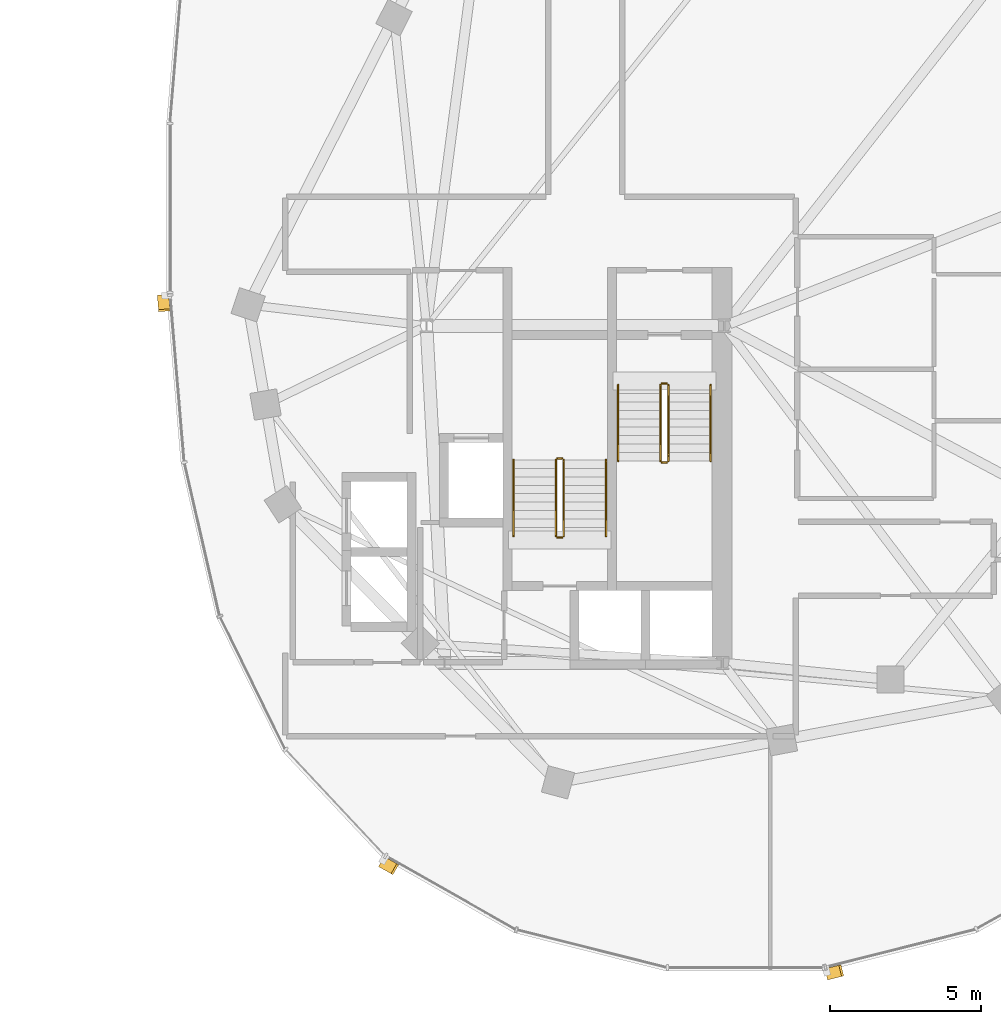
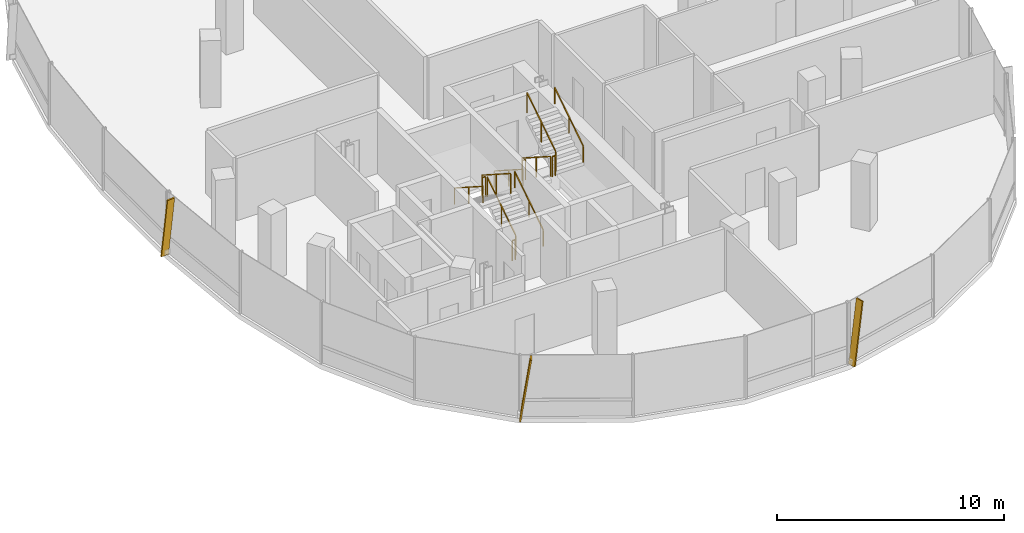
# One storey, part 24 of 25: 12 railings, 3 shading devices.
"""IFC4 building model written with IfcOpenShell, lengths in metres."""

from ifc_helpers import new_model, si_unit, direction, frame, origin, origin_2d, place, context, subcontext, project, spatial, rectangle, extrude, material, material_profile, profile_set, type_object, element, save


model = new_model("IFC4")

# Units and contexts
model_context = context("Model", 3, precision=1e-05, world=origin(), true_north=direction((0.0, 1.0)))
body_context = subcontext(model_context, "Body", "Model", "MODEL_VIEW")
ifc_project = project(units=[si_unit("LENGTHUNIT", "METRE"), si_unit("AREAUNIT", "SQUARE_METRE"), si_unit("VOLUMEUNIT", "CUBIC_METRE"), si_unit("PLANEANGLEUNIT", "RADIAN"), si_unit("MASSUNIT", "GRAM", prefix="KILO"), si_unit("THERMODYNAMICTEMPERATUREUNIT", "KELVIN"), si_unit("POWERUNIT", "WATT")], contexts=[model_context])

# Site, building, storey
site_placement = place(None, origin())
site = spatial("IfcSite", under=ifc_project, at=site_placement, CompositionType="ELEMENT")
building_placement = place(site_placement, origin())
building = spatial("IfcBuilding", under=site, at=building_placement, Name="Cundina Bronze Exchange", CompositionType="ELEMENT")
storey_placement = place(building_placement, frame((0.0, 0.0, 195.39990234375)))
storey = spatial("IfcBuildingStorey", under=building, at=storey_placement, Name="L51", CompositionType="ELEMENT", Elevation=195.39990234375)

# Railings
ifc_material_1 = material(Name="Steel ASTM A36 Painted", Category="steel")
railing_type_1 = type_object("IfcRailingType", Name="RLG-HND-900", PredefinedType="HANDRAIL", material=ifc_material_1)
railing_1_placement = place(storey_placement, frame((27.7900390625, -5.85009765625, 0.18017578125)))
element("IfcRailing", 1, at=railing_1_placement, inside=storey, type_object=railing_type_1, Name="L51 ST-E1 stair handrail 1", PredefinedType="HANDRAIL", context=body_context, shape_type="SweptSolid", body=[
    extrude(rectangle(XDim=0.048095703125, YDim=0.048095703125, at=origin_2d()), frame((0.0, 0.0, 0.8759765625), z_axis=(0.0, -0.841199657755, 0.540724639528), x_axis=(1.0, 0.0, 0.0)), (0.0, 0.0, 1.0), 2.995849609375),
    extrude(rectangle(XDim=0.0419921875, YDim=0.0419921875, at=origin_2d()), origin(), (0.0, 0.0, 1.0), 0.851806640625),
    extrude(rectangle(XDim=0.0419921875, YDim=0.0419921875, at=origin_2d()), frame((0.0, -1.260009765625, 0.81005859375)), (0.0, 0.0, 1.0), 0.851806640625),
    extrude(rectangle(XDim=0.0419921875, YDim=0.0419921875, at=origin_2d()), frame((0.0, -2.52001953125, 1.619873046875)), (0.0, 0.0, 1.0), 0.851806640625),
])
railing_2_placement = place(storey_placement, frame((30.85009765625, -8.3701171875, 1.97998046875)))
element("IfcRailing", 2, at=railing_2_placement, inside=storey, type_object=railing_type_1, Name="L51 ST-E1 stair handrail 2", PredefinedType="HANDRAIL", context=body_context, shape_type="SweptSolid", body=[
    extrude(rectangle(XDim=0.048095703125, YDim=0.048095703125, at=origin_2d()), frame((0.0, 0.0, 0.8759765625), z_axis=(0.0, 0.841162588446, 0.540782303519), x_axis=(-1.0, 0.0, 0.0)), (0.0, 0.0, 1.0), 2.995849609375),
    extrude(rectangle(XDim=0.0419921875, YDim=0.0419921875, at=origin_2d()), origin(), (0.0, 0.0, 1.0), 0.851806640625),
    extrude(rectangle(XDim=0.0419921875, YDim=0.0419921875, at=origin_2d()), frame((0.0, 1.260009765625, 0.81005859375)), (0.0, 0.0, 1.0), 0.851806640625),
    extrude(rectangle(XDim=0.0419921875, YDim=0.0419921875, at=origin_2d()), frame((0.0, 2.52001953125, 1.6201171875)), (0.0, 0.0, 1.0), 0.851806640625),
])
railing_3_placement = place(storey_placement, frame((27.389892578125, -10.85009765625, 0.18017578125)))
element("IfcRailing", 3, at=railing_3_placement, inside=storey, type_object=railing_type_1, Name="L51 ST-E2 stair handrail 1", PredefinedType="HANDRAIL", context=body_context, shape_type="SweptSolid", body=[
    extrude(rectangle(XDim=0.048095703125, YDim=0.048095703125, at=origin_2d()), frame((0.0, 0.0, 0.8759765625), z_axis=(0.0, 0.841199657755, 0.540724639528), x_axis=(-1.0, 0.0, 0.0)), (0.0, 0.0, 1.0), 2.995849609375),
    extrude(rectangle(XDim=0.0419921875, YDim=0.0419921875, at=origin_2d()), origin(), (0.0, 0.0, 1.0), 0.851806640625),
    extrude(rectangle(XDim=0.0419921875, YDim=0.0419921875, at=origin_2d()), frame((0.0, 1.260009765625, 0.81005859375)), (0.0, 0.0, 1.0), 0.851806640625),
    extrude(rectangle(XDim=0.0419921875, YDim=0.0419921875, at=origin_2d()), frame((0.0, 2.52001953125, 1.619873046875)), (0.0, 0.0, 1.0), 0.851806640625),
])
railing_4_placement = place(storey_placement, frame((24.330078125, -8.330078125, 1.97998046875)))
element("IfcRailing", 4, at=railing_4_placement, inside=storey, type_object=railing_type_1, Name="L51 ST-E2 stair handrail 2", PredefinedType="HANDRAIL", context=body_context, shape_type="SweptSolid", body=[
    extrude(rectangle(XDim=0.048095703125, YDim=0.048095703125, at=origin_2d()), frame((0.0, 0.0, 0.8759765625), z_axis=(0.0, -0.841162588446, 0.540782303519), x_axis=(1.0, 0.0, 0.0)), (0.0, 0.0, 1.0), 2.995849609375),
    extrude(rectangle(XDim=0.0419921875, YDim=0.0419921875, at=origin_2d()), origin(), (0.0, 0.0, 1.0), 0.851806640625),
    extrude(rectangle(XDim=0.0419921875, YDim=0.0419921875, at=origin_2d()), frame((0.0, -1.260009765625, 0.81005859375)), (0.0, 0.0, 1.0), 0.851806640625),
    extrude(rectangle(XDim=0.0419921875, YDim=0.0419921875, at=origin_2d()), frame((0.0, -2.52001953125, 1.6201171875)), (0.0, 0.0, 1.0), 0.851806640625),
])
railing_type_2 = type_object("IfcRailingType", Name="RLG-STG-1100", PredefinedType="GUARDRAIL", material=ifc_material_1)
railing_5_placement = place(storey_placement, frame((29.18994140625, -5.85009765625, 0.18017578125)))
element("IfcRailing", 5, at=railing_5_placement, inside=storey, type_object=railing_type_2, Name="L51 ST-E1 stair guard 1", PredefinedType="GUARDRAIL", context=body_context, shape_type="SweptSolid", body=[
    extrude(rectangle(XDim=0.048095703125, YDim=0.048095703125, at=origin_2d()), frame((0.0, 0.0, 1.076171875), z_axis=(0.0, -0.841199657755, 0.540724639528), x_axis=(1.0, 0.0, 0.0)), (0.0, 0.0, 1.0), 2.995849609375),
    extrude(rectangle(XDim=0.0419921875, YDim=0.0419921875, at=origin_2d()), origin(), (0.0, 0.0, 1.0), 1.052001953125),
    extrude(rectangle(XDim=0.0419921875, YDim=0.0419921875, at=origin_2d()), frame((0.0, -1.260009765625, 0.81005859375)), (0.0, 0.0, 1.0), 1.052001953125),
    extrude(rectangle(XDim=0.0419921875, YDim=0.0419921875, at=origin_2d()), frame((0.0, -2.52001953125, 1.619873046875)), (0.0, 0.0, 1.0), 1.052001953125),
])
railing_6_placement = place(storey_placement, frame((29.239990234375, -8.419921875, 1.800048828125)))
element("IfcRailing", 6, at=railing_6_placement, inside=storey, type_object=railing_type_2, Name="L51 ST-E1 stair guard 2", PredefinedType="GUARDRAIL", context=body_context, shape_type="SweptSolid", body=[
    extrude(rectangle(XDim=0.048095703125, YDim=0.048095703125, at=origin_2d()), frame((0.0, 0.0, 1.076171875), z_axis=(1.0, 0.0, 0.0), x_axis=(0.0, 1.0, 0.0)), (0.0, 0.0, 1.0), 0.159912109375),
    extrude(rectangle(XDim=0.0419921875, YDim=0.0419921875, at=origin_2d()), origin(), (0.0, 0.0, 1.0), 1.052001953125),
    extrude(rectangle(XDim=0.0419921875, YDim=0.0419921875, at=origin_2d()), frame((0.159912109375, 0.0, 0.0)), (0.0, 0.0, 1.0), 1.052001953125),
])
railing_7_placement = place(storey_placement, frame((29.449951171875, -8.3701171875, 1.97998046875)))
element("IfcRailing", 7, at=railing_7_placement, inside=storey, type_object=railing_type_2, Name="L51 ST-E1 stair guard 3", PredefinedType="GUARDRAIL", context=body_context, shape_type="SweptSolid", body=[
    extrude(rectangle(XDim=0.048095703125, YDim=0.048095703125, at=origin_2d()), frame((0.0, 0.0, 1.076171875), z_axis=(0.0, 0.841162588446, 0.540782303519), x_axis=(-1.0, 0.0, 0.0)), (0.0, 0.0, 1.0), 2.995849609375),
    extrude(rectangle(XDim=0.0419921875, YDim=0.0419921875, at=origin_2d()), origin(), (0.0, 0.0, 1.0), 1.052001953125),
    extrude(rectangle(XDim=0.0419921875, YDim=0.0419921875, at=origin_2d()), frame((0.0, 1.260009765625, 0.81005859375)), (0.0, 0.0, 1.0), 1.052001953125),
    extrude(rectangle(XDim=0.0419921875, YDim=0.0419921875, at=origin_2d()), frame((0.0, 2.52001953125, 1.6201171875)), (0.0, 0.0, 1.0), 1.052001953125),
])
railing_8_placement = place(storey_placement, frame((29.239990234375, -5.800048828125, 0.0)))
element("IfcRailing", 8, at=railing_8_placement, inside=storey, type_object=railing_type_2, Name="L51 ST-E1 stair guard 4", PredefinedType="GUARDRAIL", context=body_context, shape_type="SweptSolid", body=[
    extrude(rectangle(XDim=0.048095703125, YDim=0.048095703125, at=origin_2d()), frame((0.0, 0.0, 1.076171875), z_axis=(1.0, 0.0, 0.0), x_axis=(0.0, 1.0, 0.0)), (0.0, 0.0, 1.0), 0.159912109375),
    extrude(rectangle(XDim=0.0419921875, YDim=0.0419921875, at=origin_2d()), origin(), (0.0, 0.0, 1.0), 1.052001953125),
    extrude(rectangle(XDim=0.0419921875, YDim=0.0419921875, at=origin_2d()), frame((0.159912109375, 0.0, 0.0)), (0.0, 0.0, 1.0), 1.052001953125),
])
railing_9_placement = place(storey_placement, frame((25.989990234375, -10.85009765625, 0.18017578125)))
element("IfcRailing", 9, at=railing_9_placement, inside=storey, type_object=railing_type_2, Name="L51 ST-E2 stair guard 1", PredefinedType="GUARDRAIL", context=body_context, shape_type="SweptSolid", body=[
    extrude(rectangle(XDim=0.048095703125, YDim=0.048095703125, at=origin_2d()), frame((0.0, 0.0, 1.076171875), z_axis=(0.0, 0.841199657755, 0.540724639528), x_axis=(-1.0, 0.0, 0.0)), (0.0, 0.0, 1.0), 2.995849609375),
    extrude(rectangle(XDim=0.0419921875, YDim=0.0419921875, at=origin_2d()), origin(), (0.0, 0.0, 1.0), 1.052001953125),
    extrude(rectangle(XDim=0.0419921875, YDim=0.0419921875, at=origin_2d()), frame((0.0, 1.260009765625, 0.81005859375)), (0.0, 0.0, 1.0), 1.052001953125),
    extrude(rectangle(XDim=0.0419921875, YDim=0.0419921875, at=origin_2d()), frame((0.0, 2.52001953125, 1.619873046875)), (0.0, 0.0, 1.0), 1.052001953125),
])
railing_10_placement = place(storey_placement, frame((25.93994140625, -8.280029296875, 1.800048828125)))
element("IfcRailing", 10, at=railing_10_placement, inside=storey, type_object=railing_type_2, Name="L51 ST-E2 stair guard 2", PredefinedType="GUARDRAIL", context=body_context, shape_type="SweptSolid", body=[
    extrude(rectangle(XDim=0.048095703125, YDim=0.048095703125, at=origin_2d()), frame((0.0, 0.0, 1.076171875), z_axis=(-1.0, 0.0, 0.0), x_axis=(0.0, -1.0, 0.0)), (0.0, 0.0, 1.0), 0.159912109375),
    extrude(rectangle(XDim=0.0419921875, YDim=0.0419921875, at=origin_2d()), origin(), (0.0, 0.0, 1.0), 1.052001953125),
    extrude(rectangle(XDim=0.0419921875, YDim=0.0419921875, at=origin_2d()), frame((-0.159912109375, 0.0, 0.0)), (0.0, 0.0, 1.0), 1.052001953125),
])
railing_11_placement = place(storey_placement, frame((25.72998046875, -8.330078125, 1.97998046875)))
element("IfcRailing", 11, at=railing_11_placement, inside=storey, type_object=railing_type_2, Name="L51 ST-E2 stair guard 3", PredefinedType="GUARDRAIL", context=body_context, shape_type="SweptSolid", body=[
    extrude(rectangle(XDim=0.048095703125, YDim=0.048095703125, at=origin_2d()), frame((0.0, 0.0, 1.076171875), z_axis=(0.0, -0.841162588446, 0.540782303519), x_axis=(1.0, 0.0, 0.0)), (0.0, 0.0, 1.0), 2.995849609375),
    extrude(rectangle(XDim=0.0419921875, YDim=0.0419921875, at=origin_2d()), origin(), (0.0, 0.0, 1.0), 1.052001953125),
    extrude(rectangle(XDim=0.0419921875, YDim=0.0419921875, at=origin_2d()), frame((0.0, -1.260009765625, 0.81005859375)), (0.0, 0.0, 1.0), 1.052001953125),
    extrude(rectangle(XDim=0.0419921875, YDim=0.0419921875, at=origin_2d()), frame((0.0, -2.52001953125, 1.6201171875)), (0.0, 0.0, 1.0), 1.052001953125),
])
railing_12_placement = place(storey_placement, frame((25.93994140625, -10.89990234375, 0.0)))
element("IfcRailing", 12, at=railing_12_placement, inside=storey, type_object=railing_type_2, Name="L51 ST-E2 stair guard 4", PredefinedType="GUARDRAIL", context=body_context, shape_type="SweptSolid", body=[
    extrude(rectangle(XDim=0.048095703125, YDim=0.048095703125, at=origin_2d()), frame((0.0, 0.0, 1.076171875), z_axis=(-1.0, 0.0, 0.0), x_axis=(0.0, -1.0, 0.0)), (0.0, 0.0, 1.0), 0.159912109375),
    extrude(rectangle(XDim=0.0419921875, YDim=0.0419921875, at=origin_2d()), origin(), (0.0, 0.0, 1.0), 1.052001953125),
    extrude(rectangle(XDim=0.0419921875, YDim=0.0419921875, at=origin_2d()), frame((-0.159912109375, 0.0, 0.0)), (0.0, 0.0, 1.0), 1.052001953125),
])

# Shading devices
ifc_material_2 = material(Name="Anodised Bronze Aluminium 6063-T6", Category="aluminium")
ifc_material_profile = material_profile(ifc_material_2, rectangle(XDim=0.070068359375, YDim=0.3798828125, at=origin_2d()), Name="FIN70X380", Category="aluminium")
ifc_profile_set = profile_set([ifc_material_profile], Name="Anodised Bronze Aluminium 6063-T6")
shading_device_type = type_object("IfcShadingDeviceType", Name="SHD-FIN-BRZ380", PredefinedType="USERDEFINED", material=ifc_profile_set)
for number, where, z_axis, x_axis, name in (
    (13, (12.735595703125, -2.90283203125, 0.02001953125), (0.012006555776, -0.143419772964, 0.98958911238), (-0.082555834947, 0.986139516224, 0.143921466983), "L51 Diagonal Bronze Solar Fin 1"),
    (14, (19.984375, -21.635498046875, 0.02001953125), (0.125189514072, -0.071087145125, 0.989582843103), (-0.860526986551, 0.488638423358, 0.143964567292), "L51 Diagonal Bronze Solar Fin 5"),
    (15, (34.705810546875, -25.344482421875, 0.02001953125), (0.139611891367, 0.03514090606, 0.989582556693), (-0.959650042543, -0.24154799183, 0.143966536007), "L51 Diagonal Bronze Solar Fin 1"),
):
    element("IfcShadingDevice", number, at=place(storey_placement, frame(where, z_axis=z_axis, x_axis=x_axis)), inside=storey, type_object=shading_device_type, Name=name, ObjectType="FIN", PredefinedType="USERDEFINED", context=body_context, shape_type="SweptSolid", body=[
        extrude(rectangle(XDim=0.070068359375, YDim=0.3798828125, at=origin_2d()), origin(), (0.0, 0.0, 1.0), 3.334716796875),
    ])

save(model, "model.ifc")
